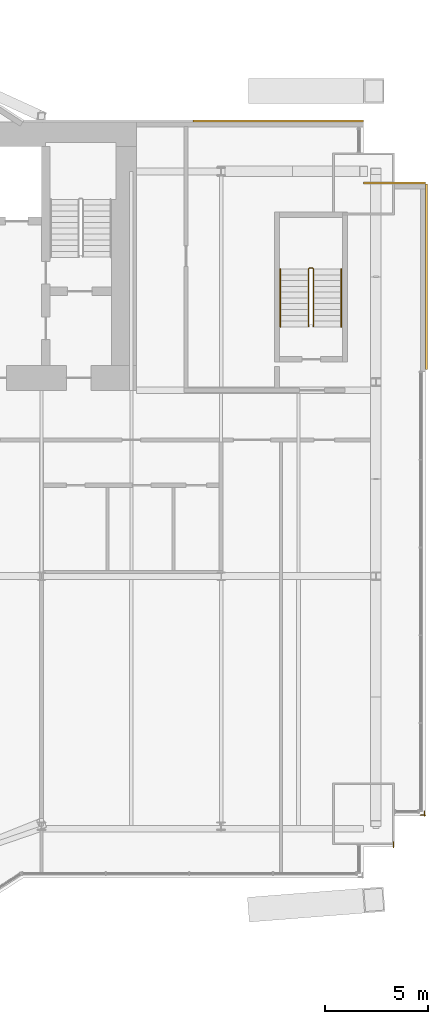
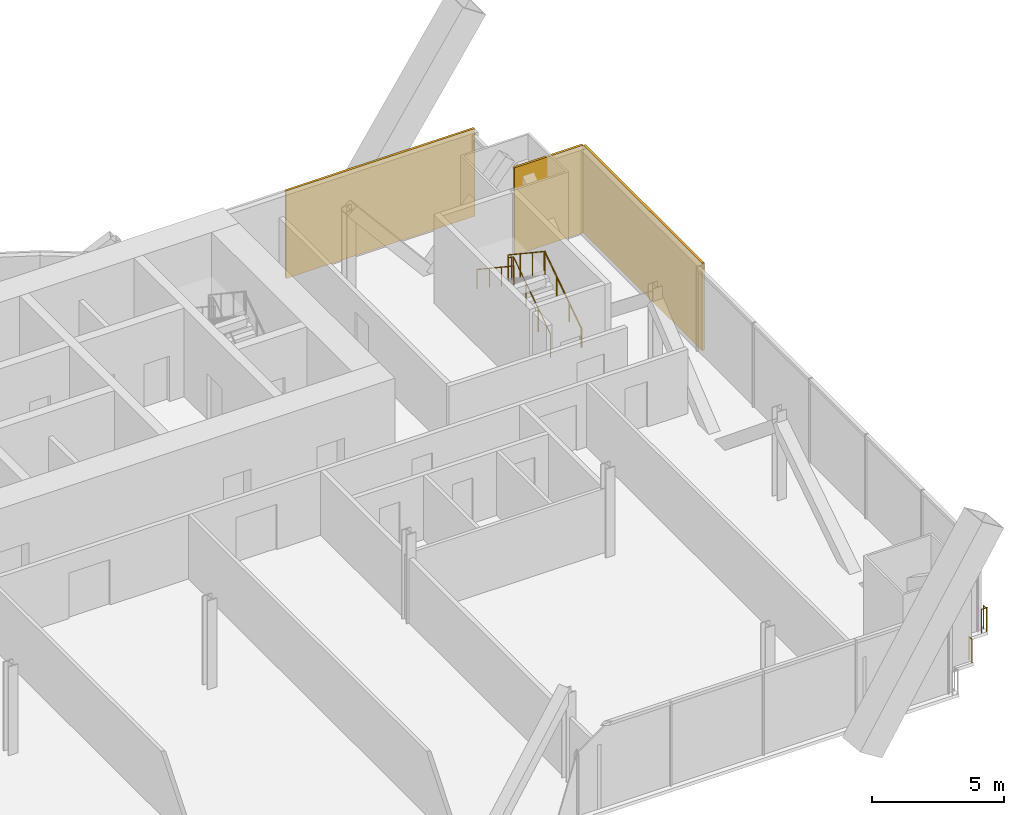
# One storey, part 21 of 21: 5 railings, 3 coverings.
"""IFC4 building model written with IfcOpenShell, lengths in metres."""

from ifc_helpers import new_model, si_unit, direction, frame, origin, origin_2d, place, context, subcontext, project, spatial, rectangle, circle, extrude, material, layer, layer_set, type_object, element, save


model = new_model("IFC4")

# Units and contexts
model_context = context("Model", 3, precision=1e-05, world=origin(), true_north=direction((0.0, 1.0)))
body_context = subcontext(model_context, "Body", "Model", "MODEL_VIEW")
ifc_project = project(units=[si_unit("LENGTHUNIT", "METRE"), si_unit("AREAUNIT", "SQUARE_METRE"), si_unit("VOLUMEUNIT", "CUBIC_METRE"), si_unit("PLANEANGLEUNIT", "RADIAN"), si_unit("MASSUNIT", "GRAM", prefix="KILO")], contexts=[model_context])

# Site, building, storey
site_placement = place(None, origin())
site = spatial("IfcSite", under=ifc_project, at=site_placement, CompositionType="ELEMENT")
building_placement = place(site_placement, origin())
building = spatial("IfcBuilding", under=site, at=building_placement, Name="Bicima Exchange Tower", CompositionType="ELEMENT")
storey_placement = place(building_placement, frame((0.0, 0.0, 130.89990234375)))
storey = spatial("IfcBuildingStorey", under=building, at=storey_placement, Name="L28", CompositionType="ELEMENT", Elevation=130.89990234375)

# Coverings
ifc_material_1 = material(Name="Bronze metal cladding")
ifc_layer_1 = layer(ifc_material_1, 0.004)
ifc_material_2 = material(Name="Ventilated cavity")
ifc_layer_2 = layer(ifc_material_2, 0.06)
ifc_material_3 = material(Name="Galvanised steel rail and mineral wool", Category="steel")
ifc_layer_3 = layer(ifc_material_3, 0.036)
ifc_layer_set = layer_set([ifc_layer_1, ifc_layer_2, ifc_layer_3], Name="Ventilated cavity")
covering_type = type_object("IfcCoveringType", Name="Bronze metal cladding panel 100", PredefinedType="CLADDING", material=ifc_layer_set)
covering_1_placement = place(storey_placement, frame((28.875, 0.050048828125, -0.14990234375), z_axis=(0.0, 0.0, 1.0), x_axis=(-1.0, 0.0, 0.0)))
element("IfcCovering", 1, at=covering_1_placement, inside=storey, type_object=covering_type, Name="Bronze cladding L28 1.1", PredefinedType="CLADDING", context=body_context, shape_type="SweptSolid", body=[
    extrude(rectangle(XDim=8.25, YDim=0.10009765625, at=origin_2d()), origin(), (0.0, 0.0, 1.0), 4.050048828125),
])
covering_2_placement = place(storey_placement, frame((36.050048828125, -7.5, -0.14990234375), z_axis=(0.0, 0.0, 1.0), x_axis=(0.0, 1.0, 0.0)))
element("IfcCovering", 2, at=covering_2_placement, inside=storey, type_object=covering_type, Name="Bronze cladding L28 50.1", PredefinedType="CLADDING", context=body_context, shape_type="SweptSolid", body=[
    extrude(rectangle(XDim=9.0, YDim=0.10009765625, at=origin_2d()), origin(), (0.0, 0.0, 1.0), 4.050048828125),
])
covering_3_placement = place(storey_placement, frame((34.5, -2.949951171875, -0.14990234375), z_axis=(0.0, 0.0, 1.0), x_axis=(-1.0, 0.0, 0.0)))
element("IfcCovering", 3, at=covering_3_placement, inside=storey, type_object=covering_type, Name="Bronze cladding L28 51.1", PredefinedType="CLADDING", context=body_context, shape_type="SweptSolid", body=[
    extrude(rectangle(XDim=3.0, YDim=0.10009765625, at=origin_2d()), origin(), (0.0, 0.0, 1.0), 4.050048828125),
])

# Railings
ifc_material_4 = material(Name="Stainless steel and bonded safety glass", Category="steel")
railing_type_1 = type_object("IfcRailingType", Name="Edge guard 1100", PredefinedType="GUARDRAIL", material=ifc_material_4)
railing_1_placement = place(storey_placement, frame((35.949951171875, -33.383056640625, 0.0)))
element("IfcRailing", 4, at=railing_1_placement, inside=storey, type_object=railing_type_1, Name="Edge guard L28 140", PredefinedType="GUARDRAIL", context=body_context, shape_type="SweptSolid", body=[
    extrude(circle(Radius=0.02392578125, at=origin_2d()), frame((0.0, 0.0, 1.076171875), z_axis=(0.0, -1.0, 0.0), x_axis=(1.0, 0.0, 0.0)), (0.0, 0.0, 1.0), 0.2490234375),
    extrude(circle(Radius=0.02392578125, at=origin_2d()), frame((0.0, -0.2490234375, 1.076171875), z_axis=(0.707106781187, 0.707106781187, 0.0), x_axis=(-0.707106781187, 0.707106781187, 0.0)), (0.0, 0.0, 1.0), 0.07080078125),
    extrude(circle(Radius=0.02392578125, at=origin_2d()), frame((0.050048828125, -0.198974609375, 1.076171875), z_axis=(-1.0, 0.0, 0.0), x_axis=(0.0, -1.0, 0.0)), (0.0, 0.0, 1.0), 0.25),
    extrude(circle(Radius=0.02099609375, at=origin_2d()), origin(), (0.0, 0.0, 1.0), 1.052001953125),
    extrude(circle(Radius=0.02099609375, at=origin_2d()), frame((0.0, -0.2490234375, 0.0)), (0.0, 0.0, 1.0), 1.052001953125),
    extrude(circle(Radius=0.02099609375, at=origin_2d()), frame((0.050048828125, -0.198974609375, 0.0)), (0.0, 0.0, 1.0), 1.052001953125),
    extrude(circle(Radius=0.02099609375, at=origin_2d()), frame((-0.199951171875, -0.198974609375, 0.0)), (0.0, 0.0, 1.0), 1.052001953125),
])
railing_2_placement = place(storey_placement, frame((34.449951171875, -34.882080078125, 0.0)))
element("IfcRailing", 5, at=railing_2_placement, inside=storey, type_object=railing_type_1, Name="Edge guard L28 141", PredefinedType="GUARDRAIL", context=body_context, shape_type="SweptSolid", body=[
    extrude(circle(Radius=0.02392578125, at=origin_2d()), frame((0.0, 0.0, 1.076171875), z_axis=(0.0, -1.0, 0.0), x_axis=(1.0, 0.0, 0.0)), (0.0, 0.0, 1.0), 0.25),
    extrude(circle(Radius=0.02099609375, at=origin_2d()), origin(), (0.0, 0.0, 1.0), 1.052001953125),
    extrude(circle(Radius=0.02099609375, at=origin_2d()), frame((0.0, -0.25, 0.0)), (0.0, 0.0, 1.0), 1.052001953125),
])
ifc_material_5 = material(Name="Stainless steel", Category="steel")
railing_type_2 = type_object("IfcRailingType", Name="Stair guard 1100", PredefinedType="GUARDRAIL", material=ifc_material_5)
railing_3_placement = place(storey_placement, frame((30.574951171875, -9.925048828125, 0.1865234375)))
element("IfcRailing", 6, at=railing_3_placement, inside=storey, type_object=railing_type_2, Name="L28 ST-EE stair guard 1", PredefinedType="GUARDRAIL", context=body_context, shape_type="SweptSolid", body=[
    extrude(circle(Radius=0.02392578125, at=origin_2d()), frame((0.0, 0.0, 1.076171875), z_axis=(0.0, 0.832485552168, 0.554046753832), x_axis=(-1.0, 0.0, 0.0)), (0.0, 0.0, 1.0), 3.363525390625),
    extrude(circle(Radius=0.02392578125, at=origin_2d()), frame((0.0, 2.800048828125, 2.939453125), z_axis=(-0.707106781187, 0.707106781187, 0.0), x_axis=(-0.707106781187, -0.707106781187, 0.0)), (0.0, 0.0, 1.0), 0.07080078125),
    extrude(circle(Radius=0.02392578125, at=origin_2d()), frame((-0.050048828125, 2.85009765625, 2.939453125), z_axis=(-1.0, 0.0, 0.0), x_axis=(0.0, -1.0, 0.0)), (0.0, 0.0, 1.0), 0.14990234375),
    extrude(circle(Radius=0.02392578125, at=origin_2d()), frame((-0.199951171875, 2.85009765625, 2.939453125), z_axis=(-0.250869701741, -0.250869701741, 0.934948546978), x_axis=(0.707106781187, -0.707106781187, 0.0)), (0.0, 0.0, 1.0), 0.199462890625),
    extrude(circle(Radius=0.02392578125, at=origin_2d()), frame((-0.25, 2.800048828125, 3.1259765625), z_axis=(0.0, -0.832485552168, 0.554046753832), x_axis=(1.0, 0.0, 0.0)), (0.0, 0.0, 1.0), 3.363525390625),
    extrude(circle(Radius=0.02099609375, at=origin_2d()), origin(), (0.0, 0.0, 1.0), 1.052001953125),
    extrude(circle(Radius=0.02099609375, at=origin_2d()), frame((0.0, 0.933349609375, 0.62109375)), (0.0, 0.0, 1.0), 1.052001953125),
    extrude(circle(Radius=0.02099609375, at=origin_2d()), frame((0.0, 1.86669921875, 1.242431640625)), (0.0, 0.0, 1.0), 1.052001953125),
    extrude(circle(Radius=0.02099609375, at=origin_2d()), frame((0.0, 2.800048828125, 1.863525390625)), (0.0, 0.0, 1.0), 1.052001953125),
    extrude(circle(Radius=0.02099609375, at=origin_2d()), frame((-0.050048828125, 2.85009765625, 1.863525390625)), (0.0, 0.0, 1.0), 1.052001953125),
    extrude(circle(Radius=0.02099609375, at=origin_2d()), frame((-0.199951171875, 2.85009765625, 1.863525390625)), (0.0, 0.0, 1.0), 1.052001953125),
    extrude(circle(Radius=0.02099609375, at=origin_2d()), frame((-0.25, 2.800048828125, 2.050048828125)), (0.0, 0.0, 1.0), 1.052001953125),
    extrude(circle(Radius=0.02099609375, at=origin_2d()), frame((-0.25, 1.86669921875, 2.671142578125)), (0.0, 0.0, 1.0), 1.052001953125),
    extrude(circle(Radius=0.02099609375, at=origin_2d()), frame((-0.25, 0.933349609375, 3.29248046875)), (0.0, 0.0, 1.0), 1.052001953125),
    extrude(circle(Radius=0.02099609375, at=origin_2d()), frame((-0.25, 0.0, 3.91357421875)), (0.0, 0.0, 1.0), 1.052001953125),
])
railing_type_3 = type_object("IfcRailingType", Name="Stair handrail 900", PredefinedType="HANDRAIL", material=ifc_material_5)
railing_4_placement = place(storey_placement, frame((31.925048828125, -9.925048828125, 0.1865234375)))
element("IfcRailing", 7, at=railing_4_placement, inside=storey, type_object=railing_type_3, Name="L28 ST-EE stair handrail 1", PredefinedType="HANDRAIL", context=body_context, shape_type="SweptSolid", body=[
    extrude(circle(Radius=0.02392578125, at=origin_2d()), frame((0.0, 0.0, 0.8759765625), z_axis=(0.0, 0.832485552168, 0.554046753832), x_axis=(-1.0, 0.0, 0.0)), (0.0, 0.0, 1.0), 3.363525390625),
    extrude(circle(Radius=0.02099609375, at=origin_2d()), origin(), (0.0, 0.0, 1.0), 0.851806640625),
    extrude(circle(Radius=0.02099609375, at=origin_2d()), frame((0.0, 0.933349609375, 0.62109375)), (0.0, 0.0, 1.0), 0.851806640625),
    extrude(circle(Radius=0.02099609375, at=origin_2d()), frame((0.0, 1.86669921875, 1.242431640625)), (0.0, 0.0, 1.0), 0.851806640625),
    extrude(circle(Radius=0.02099609375, at=origin_2d()), frame((0.0, 2.800048828125, 1.863525390625)), (0.0, 0.0, 1.0), 0.851806640625),
])
railing_5_placement = place(storey_placement, frame((28.97509765625, -7.125, 2.236572265625)))
element("IfcRailing", 8, at=railing_5_placement, inside=storey, type_object=railing_type_3, Name="L28 ST-EE stair handrail 2", PredefinedType="HANDRAIL", context=body_context, shape_type="SweptSolid", body=[
    extrude(circle(Radius=0.02392578125, at=origin_2d()), frame((0.0, 0.0, 0.8759765625), z_axis=(0.0, -0.832485552168, 0.554046753832), x_axis=(1.0, 0.0, 0.0)), (0.0, 0.0, 1.0), 3.363525390625),
    extrude(circle(Radius=0.02099609375, at=origin_2d()), origin(), (0.0, 0.0, 1.0), 0.851806640625),
    extrude(circle(Radius=0.02099609375, at=origin_2d()), frame((0.0, -0.933349609375, 0.62109375)), (0.0, 0.0, 1.0), 0.851806640625),
    extrude(circle(Radius=0.02099609375, at=origin_2d()), frame((0.0, -1.86669921875, 1.242431640625)), (0.0, 0.0, 1.0), 0.851806640625),
    extrude(circle(Radius=0.02099609375, at=origin_2d()), frame((0.0, -2.800048828125, 1.863525390625)), (0.0, 0.0, 1.0), 0.851806640625),
])

save(model, "model.ifc")
